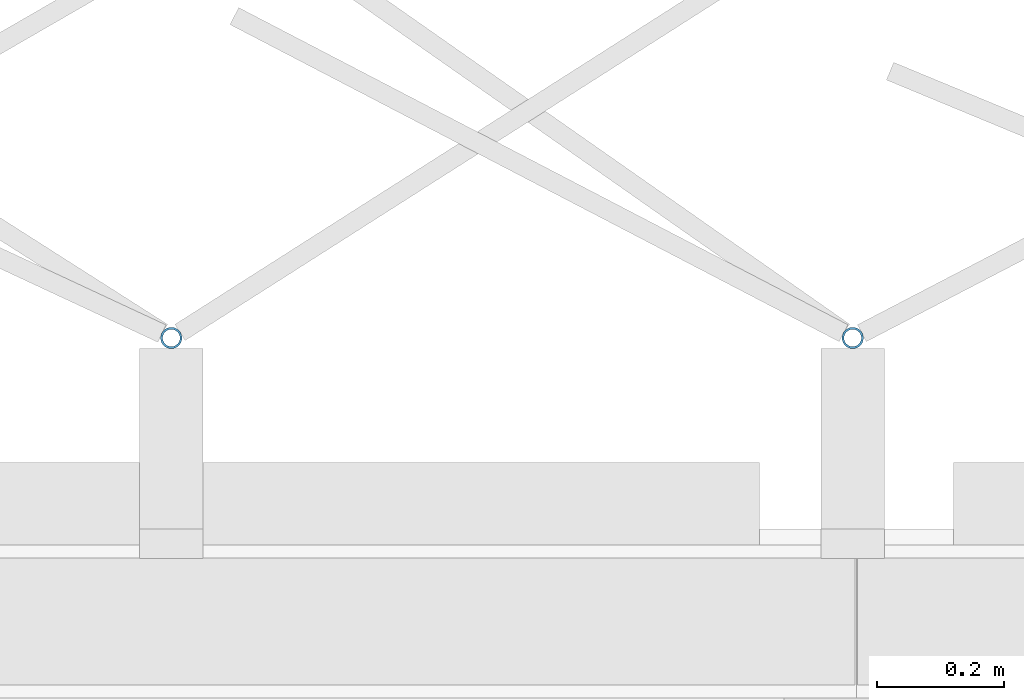
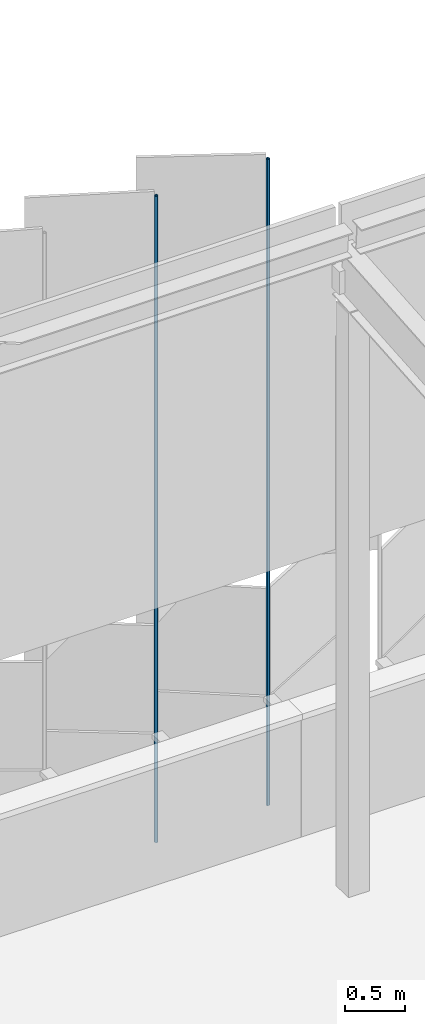
# One storey, part 348 of 483: 2 discrete accessories.
"""IFC4 building model written with IfcOpenShell, lengths in metres."""

from ifc_helpers import new_model, si_unit, direction, frame, origin, origin_2d, place, context, subcontext, project, spatial, hollow_circle, extrude, material, material_profile, profile_set, type_object, element, save


model = new_model("IFC4")

# Units and contexts
model_context = context("Model", 3, precision=1e-05, world=origin(), true_north=direction((0.0, 1.0)))
body_context = subcontext(model_context, "Body", "Model", "MODEL_VIEW")
ifc_project = project(units=[si_unit("LENGTHUNIT", "METRE"), si_unit("AREAUNIT", "SQUARE_METRE"), si_unit("VOLUMEUNIT", "CUBIC_METRE"), si_unit("PLANEANGLEUNIT", "RADIAN"), si_unit("MASSUNIT", "GRAM", prefix="KILO")], contexts=[model_context])

# Site, building, storey
site_placement = place(None, origin())
site = spatial("IfcSite", under=ifc_project, at=site_placement, CompositionType="ELEMENT")
building_placement = place(site_placement, origin())
building = spatial("IfcBuilding", under=site, at=building_placement, Name="Parallax Yard Mobility Hub", CompositionType="ELEMENT")
storey_placement = place(building_placement, frame((0.0, 0.0, 13.199951171875)))
storey = spatial("IfcBuildingStorey", under=building, at=storey_placement, Name="L04", CompositionType="ELEMENT", Elevation=13.199951171875)

# Discrete accessories
ifc_material = material(Name="Steel ASTM A500 Gr C, hot-dip galvanised", Category="steel")
ifc_material_profile = material_profile(ifc_material, hollow_circle(Radius=0.016845703125, WallThickness=0.003173828125, at=origin_2d()), Name="CHS 33.7x3.2")
ifc_profile_set = profile_set([ifc_material_profile], Name="Steel ASTM A500 Gr C, hot-dip galvanised")
discrete_accessory_type = type_object("IfcDiscreteAccessoryType", Name="Hinge post CHS 33.7x3.2", PredefinedType="BRACKET", material=ifc_profile_set)
for number, where, z_axis, x_axis, name in (
    (1, (104.993896484375, 142.800048828125, 0.0), (0.0, 0.0, 1.0), (1.0, 0.0, 0.0), "Hinge post bay 60.1 level L04"),
    (2, (103.92236328125, 142.800048828125, 0.0), (0.0, 0.0, 1.0), (1.0, 0.0, 0.0), "Hinge post bay 60.2 level L04"),
):
    element("IfcDiscreteAccessory", number, at=place(storey_placement, frame(where, z_axis=z_axis, x_axis=x_axis)), inside=storey, type_object=discrete_accessory_type, Name=name, PredefinedType="BRACKET", context=body_context, shape_type="SweptSolid", body=[
        extrude(hollow_circle(Radius=0.016845703125, WallThickness=0.003173828125, at=origin_2d()), origin(), (0.0, 0.0, 1.0), 6.550048828125),
    ])

save(model, "model.ifc")
